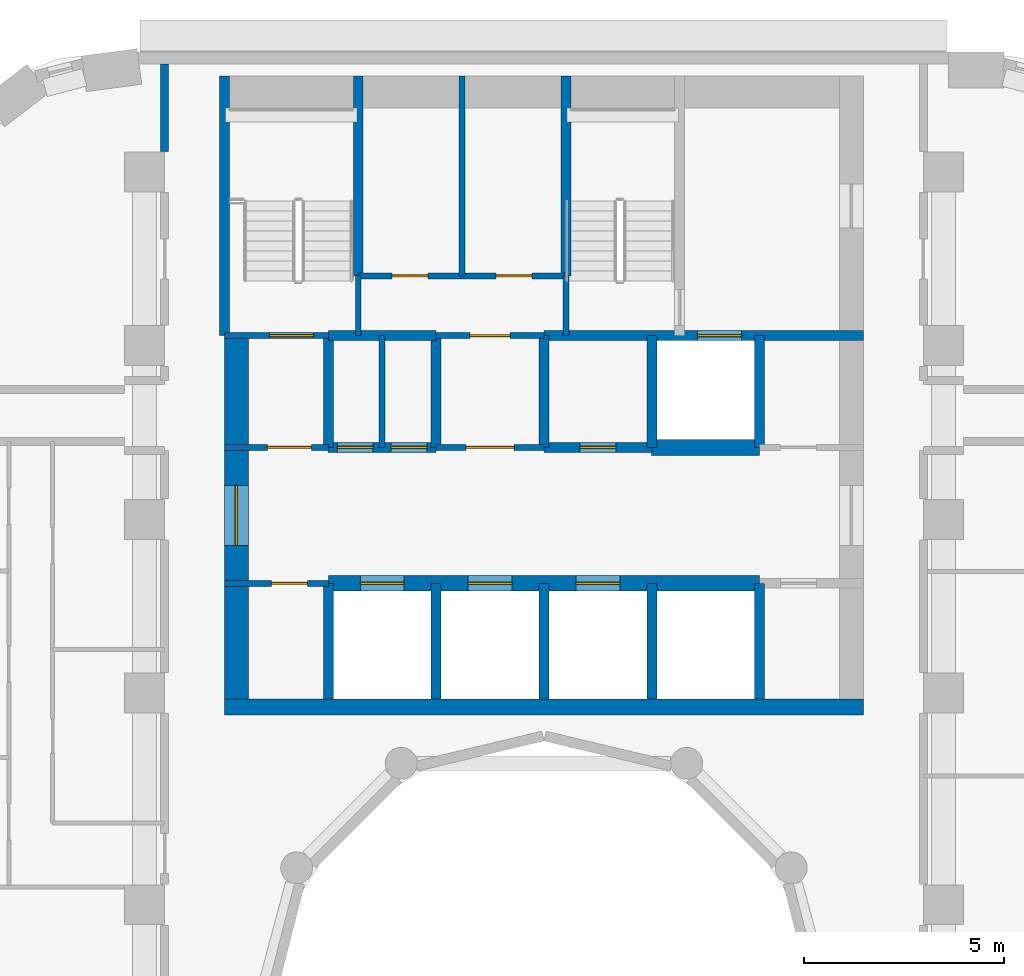
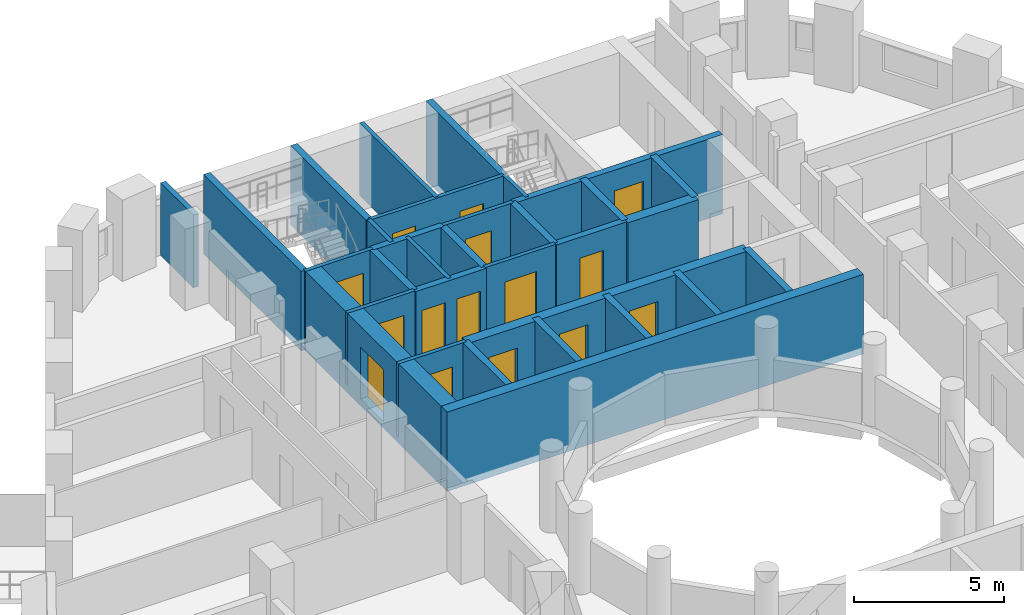
# One storey, part 7 of 14: 32 walls, 15 doors, 15 openings.
"""IFC4 building model written with IfcOpenShell, lengths in metres."""

from ifc_helpers import new_model, si_unit, direction, frame, frame_2d, origin, place, context, subcontext, project, spatial, rectangle, extrude, material, layer, layer_set, type_object, element, fill, save


model = new_model("IFC4")

# Units and contexts
model_context = context("Model", 3, precision=1e-05, world=origin(), true_north=direction((0.0, 1.0)))
body_context = subcontext(model_context, "Body", "Model", "MODEL_VIEW")
ifc_project = project(units=[si_unit("LENGTHUNIT", "METRE"), si_unit("AREAUNIT", "SQUARE_METRE"), si_unit("VOLUMEUNIT", "CUBIC_METRE"), si_unit("PLANEANGLEUNIT", "RADIAN"), si_unit("MASSUNIT", "GRAM", prefix="KILO")], contexts=[model_context])

# Site, building, storey
site_placement = place(None, origin())
site = spatial("IfcSite", under=ifc_project, at=site_placement, CompositionType="ELEMENT")
building_placement = place(site_placement, origin())
building = spatial("IfcBuilding", under=site, at=building_placement, Name="Nakaniwa Court", CompositionType="ELEMENT")
storey_placement = place(building_placement, frame((0.0, 0.0, 117.300048828125)))
storey = spatial("IfcBuildingStorey", under=building, at=storey_placement, Name="L31", CompositionType="ELEMENT", Elevation=117.300048828125)

# Wall
ifc_material_1 = material(Name="Acoustic double stud partition")
ifc_layer_1 = layer(ifc_material_1, 0.199951171875)
ifc_layer_set_1 = layer_set([ifc_layer_1], Name="Acoustic double stud partition")
wall_type_1 = type_object("IfcWallType", Name="Acoustic double stud partition 200", PredefinedType="PARTITIONING", material=ifc_layer_set_1)
wall_1_placement = place(storey_placement, frame((70.5, 101.51708984375, 0.0), z_axis=(0.0, 0.0, 1.0), x_axis=(0.0, 1.0, 0.0)))
element("IfcWall", 1, at=wall_1_placement, inside=storey, type_object=wall_type_1, Name="Partition PW-110", PredefinedType="PARTITIONING", context=body_context, shape_type="SweptSolid", body=[
    extrude(rectangle(XDim=2.182861328125, YDim=0.199951171875, at=frame_2d((1.09130859375, 0.0))), origin(), (0.0, 0.0, 1.0), 2.949951171875),
])

# Wall, opening, door
ifc_material_2 = material(Name="Blockwork partition", Category="masonry")
ifc_layer_2 = layer(ifc_material_2, 0.14990234375)
ifc_layer_set_2 = layer_set([ifc_layer_2], Name="Blockwork partition")
wall_type_2 = type_object("IfcWallType", Name="Blockwork partition 150", PredefinedType="PARTITIONING", material=ifc_layer_set_2)
wall_2_placement = place(storey_placement, frame((74.60009765625, 90.699951171875, 0.0), z_axis=(0.0, 0.0, 1.0), x_axis=(-1.0, 0.0, 0.0)))
wall_2 = element("IfcWall", 2, at=wall_2_placement, inside=storey, type_object=wall_type_2, Name="Partition PW-003", PredefinedType="PARTITIONING", context=body_context, shape_type="SweptSolid", body=[
    extrude(rectangle(XDim=2.60009765625, YDim=0.14990234375, at=frame_2d((1.300048828125, 0.0))), origin(), (0.0, 0.0, 1.0), 2.949951171875),
])
opening_1_placement = place(wall_2_placement, frame((0.52490234375, 0.0, 0.0)))
opening_1 = element("IfcOpeningElement", 3, at=opening_1_placement, cuts=wall_2, Name="Opening D-05-01", PredefinedType="OPENING", context=body_context, shape_type="SweptSolid", body=[
    extrude(rectangle(XDim=0.89990234375, YDim=2.10009765625, at=frame_2d((0.449951171875, 1.050048828125))), frame((0.0, 0.0849609375, 0.0), z_axis=(0.0, -1.0, 0.0), x_axis=(1.0, 0.0, 0.0)), (0.0, 0.0, 1.0), 0.169921875),
])
ifc_material_3 = material(Name="Fire rated steel door set", Category="steel")
door_type_1 = type_object("IfcDoorType", Name="Service room door 900", OperationType="NOTDEFINED", PredefinedType="DOOR", material=ifc_material_3)
door_1_placement = place(opening_1_placement, origin())
door_1 = element("IfcDoor", 4, at=door_1_placement, inside=storey, type_object=door_type_1, Name="Door D-05-01 L31-001", OperationType="SINGLE_SWING_RIGHT", OverallHeight=2.10009765625, OverallWidth=0.89990234375, PredefinedType="DOOR", context=body_context, shape_type="SweptSolid", body=[
    extrude(rectangle(XDim=0.89990234375, YDim=2.10009765625, at=frame_2d((0.449951171875, 1.050048828125))), frame((0.0, 0.02490234375, 0.0), z_axis=(0.0, -1.0, 0.0), x_axis=(1.0, 0.0, 0.0)), (0.0, 0.0, 1.0), 0.050048828125),
])
fill(opening_1, door_1)

wall_3_placement = place(storey_placement, frame((72.0, 94.10009765625, 0.0), z_axis=(0.0, 0.0, 1.0), x_axis=(1.0, 0.0, 0.0)))
wall_3 = element("IfcWall", 5, at=wall_3_placement, inside=storey, type_object=wall_type_2, Name="Partition PW-016", PredefinedType="PARTITIONING", context=body_context, shape_type="SweptSolid", body=[
    extrude(rectangle(XDim=2.60302734375, YDim=0.14990234375, at=frame_2d((1.301513671875, 0.0))), origin(), (0.0, 0.0, 1.0), 2.949951171875),
])
opening_2_placement = place(wall_3_placement, frame((1.074951171875, 0.0, 0.0)))
opening_2 = element("IfcOpeningElement", 6, at=opening_2_placement, cuts=wall_3, Name="Opening D-08-01", PredefinedType="OPENING", context=body_context, shape_type="SweptSolid", body=[
    extrude(rectangle(XDim=1.10009765625, YDim=2.10009765625, at=frame_2d((0.550048828125, 1.050048828125))), frame((0.0, 0.0849609375, 0.0), z_axis=(0.0, -1.0, 0.0), x_axis=(1.0, 0.0, 0.0)), (0.0, 0.0, 1.0), 0.169921875),
])
door_type_2 = type_object("IfcDoorType", Name="Stair lobby door 1100", OperationType="NOTDEFINED", PredefinedType="DOOR", material=ifc_material_3)
door_2_placement = place(opening_2_placement, origin())
door_2 = element("IfcDoor", 7, at=door_2_placement, inside=storey, type_object=door_type_2, Name="Door D-08-01 L31-003", OperationType="SINGLE_SWING_RIGHT", OverallHeight=2.10009765625, OverallWidth=1.10009765625, PredefinedType="DOOR", context=body_context, shape_type="SweptSolid", body=[
    extrude(rectangle(XDim=1.10009765625, YDim=2.10009765625, at=frame_2d((0.550048828125, 1.050048828125))), frame((0.0, 0.02490234375, 0.0), z_axis=(0.0, -1.0, 0.0), x_axis=(1.0, 0.0, 0.0)), (0.0, 0.0, 1.0), 0.050048828125),
])
fill(opening_2, door_2)

wall_4_placement = place(storey_placement, frame((77.297119140625, 94.10009765625, 0.0), z_axis=(0.0, 0.0, 1.0), x_axis=(1.0, 0.0, 0.0)))
wall_4 = element("IfcWall", 8, at=wall_4_placement, inside=storey, type_object=wall_type_2, Name="Partition PW-017", PredefinedType="PARTITIONING", context=body_context, shape_type="SweptSolid", body=[
    extrude(rectangle(XDim=2.705810546875, YDim=0.14990234375, at=frame_2d((1.35302734375, 0.0))), origin(), (0.0, 0.0, 1.0), 2.949951171875),
])
opening_3_placement = place(wall_4_placement, frame((0.7529296875, 0.0, 0.0)))
opening_3 = element("IfcOpeningElement", 9, at=opening_3_placement, cuts=wall_4, Name="Opening D-06-01", PredefinedType="OPENING", context=body_context, shape_type="SweptSolid", body=[
    extrude(rectangle(XDim=1.199951171875, YDim=2.10009765625, at=frame_2d((0.60009765625, 1.050048828125))), frame((0.0, 0.0849609375, 0.0), z_axis=(0.0, -1.0, 0.0), x_axis=(1.0, 0.0, 0.0)), (0.0, 0.0, 1.0), 0.169921875),
])
ifc_material_4 = material(Name="Fire rated steel double door set", Category="steel")
door_type_3 = type_object("IfcDoorType", Name="Service passage double door 1200", OperationType="NOTDEFINED", PredefinedType="DOOR", material=ifc_material_4)
door_3_placement = place(opening_3_placement, origin())
door_3 = element("IfcDoor", 10, at=door_3_placement, inside=storey, type_object=door_type_3, Name="Door D-06-01 L31-006", OperationType="DOUBLE_DOOR_SINGLE_SWING", OverallHeight=2.10009765625, OverallWidth=1.199951171875, PredefinedType="DOOR", context=body_context, shape_type="SweptSolid", body=[
    extrude(rectangle(XDim=1.199951171875, YDim=2.10009765625, at=frame_2d((0.60009765625, 1.050048828125))), frame((0.0, 0.02490234375, 0.0), z_axis=(0.0, -1.0, 0.0), x_axis=(1.0, 0.0, 0.0)), (0.0, 0.0, 1.0), 0.050048828125),
])
fill(opening_3, door_3)

# Wall
wall_5_placement = place(storey_placement, frame((75.949951171875, 94.10009765625, 0.0), z_axis=(0.0, 0.0, 1.0), x_axis=(0.0, 1.0, 0.0)))
element("IfcWall", 11, at=wall_5_placement, inside=storey, type_object=wall_type_2, Name="Partition PW-023", PredefinedType="PARTITIONING", context=body_context, shape_type="SweptSolid", body=[
    extrude(rectangle(XDim=2.7998046875, YDim=0.14990234375, at=frame_2d((1.39990234375, 0.0))), origin(), (0.0, 0.0, 1.0), 2.949951171875),
])

# Wall, opening, door
wall_6_placement = place(storey_placement, frame((77.300048828125, 96.89990234375, 0.0), z_axis=(0.0, 0.0, 1.0), x_axis=(1.0, 0.0, 0.0)))
wall_6 = element("IfcWall", 12, at=wall_6_placement, inside=storey, type_object=wall_type_2, Name="Partition PW-026", PredefinedType="PARTITIONING", context=body_context, shape_type="SweptSolid", body=[
    extrude(rectangle(XDim=2.699951171875, YDim=0.14990234375, at=frame_2d((1.35009765625, 0.0))), origin(), (0.0, 0.0, 1.0), 2.949951171875),
])
opening_4_placement = place(wall_6_placement, frame((0.85009765625, 0.0, 0.0)))
opening_4 = element("IfcOpeningElement", 13, at=opening_4_placement, cuts=wall_6, Name="Opening D-23-01", PredefinedType="OPENING", context=body_context, shape_type="SweptSolid", body=[
    extrude(rectangle(XDim=1.0, YDim=2.10009765625, at=frame_2d((0.5, 1.050048828125))), frame((0.0, 0.0849609375, 0.0), z_axis=(0.0, -1.0, 0.0), x_axis=(1.0, 0.0, 0.0)), (0.0, 0.0, 1.0), 0.169921875),
])
door_type_4 = type_object("IfcDoorType", Name="Service room door 1000", OperationType="NOTDEFINED", PredefinedType="DOOR", material=ifc_material_3)
door_4_placement = place(opening_4_placement, origin())
door_4 = element("IfcDoor", 14, at=door_4_placement, inside=storey, type_object=door_type_4, Name="Door D-23-01 L31-009", OperationType="SINGLE_SWING_RIGHT", OverallHeight=2.10009765625, OverallWidth=1.0, PredefinedType="DOOR", context=body_context, shape_type="SweptSolid", body=[
    extrude(rectangle(XDim=1.0, YDim=2.10009765625, at=frame_2d((0.5, 1.050048828125))), frame((0.0, 0.02490234375, 0.0), z_axis=(0.0, -1.0, 0.0), x_axis=(1.0, 0.0, 0.0)), (0.0, 0.0, 1.0), 0.050048828125),
])
fill(opening_4, door_4)

# Wall, openings, doors
wall_7_placement = place(storey_placement, frame((75.35009765625, 98.39990234375, 0.0), z_axis=(0.0, 0.0, 1.0), x_axis=(1.0, 0.0, 0.0)))
wall_7 = element("IfcWall", 15, at=wall_7_placement, inside=storey, type_object=wall_type_2, Name="Partition PW-033", PredefinedType="PARTITIONING", context=body_context, shape_type="SweptSolid", body=[
    extrude(rectangle(XDim=5.199951171875, YDim=0.14990234375, at=frame_2d((2.60009765625, 0.0))), origin(), (0.0, 0.0, 1.0), 2.949951171875),
])
opening_5_placement = place(wall_7_placement, frame((0.85009765625, 0.0, 0.0)))
opening_5 = element("IfcOpeningElement", 16, at=opening_5_placement, cuts=wall_7, Name="Opening D-05-07", PredefinedType="OPENING", context=body_context, shape_type="SweptSolid", body=[
    extrude(rectangle(XDim=0.89990234375, YDim=2.10009765625, at=frame_2d((0.449951171875, 1.050048828125))), frame((0.0, 0.0849609375, 0.0), z_axis=(0.0, -1.0, 0.0), x_axis=(1.0, 0.0, 0.0)), (0.0, 0.0, 1.0), 0.169921875),
])
opening_6_placement = place(wall_7_placement, frame((3.449951171875, 0.0, 0.0)))
opening_6 = element("IfcOpeningElement", 17, at=opening_6_placement, cuts=wall_7, Name="Opening D-05-08", PredefinedType="OPENING", context=body_context, shape_type="SweptSolid", body=[
    extrude(rectangle(XDim=0.89990234375, YDim=2.10009765625, at=frame_2d((0.449951171875, 1.050048828125))), frame((0.0, 0.0849609375, 0.0), z_axis=(0.0, -1.0, 0.0), x_axis=(1.0, 0.0, 0.0)), (0.0, 0.0, 1.0), 0.169921875),
])
door_5_placement = place(opening_5_placement, origin())
door_5 = element("IfcDoor", 18, at=door_5_placement, inside=storey, type_object=door_type_1, Name="Door D-05-07 L31-010", OperationType="SINGLE_SWING_LEFT", OverallHeight=2.10009765625, OverallWidth=0.89990234375, PredefinedType="DOOR", context=body_context, shape_type="SweptSolid", body=[
    extrude(rectangle(XDim=0.89990234375, YDim=2.10009765625, at=frame_2d((0.449951171875, 1.050048828125))), frame((0.0, 0.02490234375, 0.0), z_axis=(0.0, -1.0, 0.0), x_axis=(1.0, 0.0, 0.0)), (0.0, 0.0, 1.0), 0.050048828125),
])
fill(opening_5, door_5)
door_6_placement = place(opening_6_placement, origin())
door_6 = element("IfcDoor", 19, at=door_6_placement, inside=storey, type_object=door_type_1, Name="Door D-05-08 L31-011", OperationType="SINGLE_SWING_RIGHT", OverallHeight=2.10009765625, OverallWidth=0.89990234375, PredefinedType="DOOR", context=body_context, shape_type="SweptSolid", body=[
    extrude(rectangle(XDim=0.89990234375, YDim=2.10009765625, at=frame_2d((0.449951171875, 1.050048828125))), frame((0.0, 0.02490234375, 0.0), z_axis=(0.0, -1.0, 0.0), x_axis=(1.0, 0.0, 0.0)), (0.0, 0.0, 1.0), 0.050048828125),
])
fill(opening_6, door_6)

# Wall
wall_8_placement = place(storey_placement, frame((77.949951171875, 98.39990234375, 0.0), z_axis=(0.0, 0.0, 1.0), x_axis=(0.0, 1.0, 0.0)))
element("IfcWall", 20, at=wall_8_placement, inside=storey, type_object=wall_type_2, Name="Partition PW-034", PredefinedType="PARTITIONING", context=body_context, shape_type="SweptSolid", body=[
    extrude(rectangle(XDim=5.0, YDim=0.14990234375, at=frame_2d((2.5, 0.0))), origin(), (0.0, 0.0, 1.0), 2.949951171875),
])

# Wall, opening, door
ifc_material_5 = material(Name="Concrete C80/100", Category="concrete")
ifc_layer_3 = layer(ifc_material_5, 0.60009765625)
ifc_layer_set_3 = layer_set([ifc_layer_3], Name="Concrete C80/100")
wall_type_3 = type_object("IfcWallType", Name="Concrete core side wall 600 C80", PredefinedType="SHEAR", material=ifc_layer_set_3)
wall_9_placement = place(storey_placement, frame((72.300048828125, 87.800048828125, -0.275146484375), z_axis=(0.0, 0.0, 1.0), x_axis=(0.0, 1.0, 0.0)))
wall_9 = element("IfcWall", 21, at=wall_9_placement, inside=storey, type_object=wall_type_3, Name="Core wall SW-04", PredefinedType="SHEAR", context=body_context, shape_type="SweptSolid", body=[
    extrude(rectangle(XDim=9.099853515625, YDim=0.60009765625, at=frame_2d((4.5498046875, 0.0))), origin(), (0.0, 0.0, 1.0), 3.22509765625),
])
opening_7_placement = place(wall_9_placement, frame((3.85009765625, 0.0, 0.27490234375)))
opening_7 = element("IfcOpeningElement", 22, at=opening_7_placement, cuts=wall_9, Name="Opening D-07-02", PredefinedType="OPENING", context=body_context, shape_type="SweptSolid", body=[
    extrude(rectangle(XDim=1.5, YDim=2.10009765625, at=frame_2d((0.75, 1.050048828125))), frame((0.0, 0.31005859375, 0.0), z_axis=(0.0, -1.0, 0.0), x_axis=(1.0, 0.0, 0.0)), (0.0, 0.0, 1.0), 0.6201171875),
])
ifc_material_6 = material(Name="Glazed fire rated steel double door set", Category="steel")
door_type_5 = type_object("IfcDoorType", Name="Lobby double door 1500", OperationType="NOTDEFINED", PredefinedType="DOOR", material=ifc_material_6)
door_7_placement = place(opening_7_placement, origin())
door_7 = element("IfcDoor", 23, at=door_7_placement, inside=storey, type_object=door_type_5, Name="Door D-07-02 L31-048", OperationType="DOUBLE_DOOR_SINGLE_SWING", OverallHeight=2.10009765625, OverallWidth=1.5, PredefinedType="DOOR", context=body_context, shape_type="SweptSolid", body=[
    extrude(rectangle(XDim=1.5, YDim=2.10009765625, at=frame_2d((0.75, 1.050048828125))), frame((0.0, 0.02490234375, 0.0), z_axis=(0.0, -1.0, 0.0), x_axis=(1.0, 0.0, 0.0)), (0.0, 0.0, 1.0), 0.050048828125),
])
fill(opening_7, door_7)

# Wall, openings, doors
ifc_layer_4 = layer(ifc_material_5, 0.39990234375)
ifc_layer_set_4 = layer_set([ifc_layer_4], Name="Concrete C80/100")
wall_type_4 = type_object("IfcWallType", Name="Concrete core spine wall 400 C80", PredefinedType="SHEAR", material=ifc_layer_set_4)
wall_10_placement = place(storey_placement, frame((74.60009765625, 90.699951171875, -0.275146484375), z_axis=(0.0, 0.0, 1.0), x_axis=(1.0, 0.0, 0.0)))
wall_10 = element("IfcWall", 24, at=wall_10_placement, inside=storey, type_object=wall_type_4, Name="Core wall SW-07", PredefinedType="SHEAR", context=body_context, shape_type="SweptSolid", body=[
    extrude(rectangle(XDim=10.7998046875, YDim=0.39990234375, at=frame_2d((5.39990234375, 0.0))), origin(), (0.0, 0.0, 1.0), 3.22509765625),
])
opening_8_placement = place(wall_10_placement, frame((0.800048828125, 0.0, 0.27490234375)))
opening_8 = element("IfcOpeningElement", 25, at=opening_8_placement, cuts=wall_10, Name="Opening LD01", PredefinedType="OPENING", context=body_context, shape_type="SweptSolid", body=[
    extrude(rectangle(XDim=1.10009765625, YDim=2.10009765625, at=frame_2d((0.550048828125, 1.050048828125))), frame((0.0, 0.2099609375, 0.0), z_axis=(0.0, -1.0, 0.0), x_axis=(1.0, 0.0, 0.0)), (0.0, 0.0, 1.0), 0.419921875),
])
opening_9_placement = place(wall_10_placement, frame((3.5, 0.0, 0.27490234375)))
opening_9 = element("IfcOpeningElement", 26, at=opening_9_placement, cuts=wall_10, Name="Opening LD02", PredefinedType="OPENING", context=body_context, shape_type="SweptSolid", body=[
    extrude(rectangle(XDim=1.10009765625, YDim=2.10009765625, at=frame_2d((0.550048828125, 1.050048828125))), frame((0.0, 0.2099609375, 0.0), z_axis=(0.0, -1.0, 0.0), x_axis=(1.0, 0.0, 0.0)), (0.0, 0.0, 1.0), 0.419921875),
])
opening_10_placement = place(wall_10_placement, frame((6.199951171875, 0.0, 0.27490234375)))
opening_10 = element("IfcOpeningElement", 27, at=opening_10_placement, cuts=wall_10, Name="Opening LD03", PredefinedType="OPENING", context=body_context, shape_type="SweptSolid", body=[
    extrude(rectangle(XDim=1.10009765625, YDim=2.10009765625, at=frame_2d((0.550048828125, 1.050048828125))), frame((0.0, 0.2099609375, 0.0), z_axis=(0.0, -1.0, 0.0), x_axis=(1.0, 0.0, 0.0)), (0.0, 0.0, 1.0), 0.419921875),
])
ifc_material_7 = material(Name="Stainless steel sliding lift landing door", Category="steel")
door_type_6 = type_object("IfcDoorType", Name="Lift landing door 1100", OperationType="NOTDEFINED", PredefinedType="DOOR", material=ifc_material_7)
door_8_placement = place(opening_8_placement, origin())
door_8 = element("IfcDoor", 28, at=door_8_placement, inside=storey, type_object=door_type_6, Name="Lift landing door LD01 L31-001", OperationType="SLIDING_TO_LEFT", OverallHeight=2.10009765625, OverallWidth=1.10009765625, PredefinedType="DOOR", context=body_context, shape_type="SweptSolid", body=[
    extrude(rectangle(XDim=1.10009765625, YDim=2.10009765625, at=frame_2d((0.550048828125, 1.050048828125))), frame((0.0, 0.02490234375, 0.0), z_axis=(0.0, -1.0, 0.0), x_axis=(1.0, 0.0, 0.0)), (0.0, 0.0, 1.0), 0.050048828125),
])
fill(opening_8, door_8)
door_9_placement = place(opening_9_placement, origin())
door_9 = element("IfcDoor", 29, at=door_9_placement, inside=storey, type_object=door_type_6, Name="Lift landing door LD02 L31-002", OperationType="SLIDING_TO_LEFT", OverallHeight=2.10009765625, OverallWidth=1.10009765625, PredefinedType="DOOR", context=body_context, shape_type="SweptSolid", body=[
    extrude(rectangle(XDim=1.10009765625, YDim=2.10009765625, at=frame_2d((0.550048828125, 1.050048828125))), frame((0.0, 0.02490234375, 0.0), z_axis=(0.0, -1.0, 0.0), x_axis=(1.0, 0.0, 0.0)), (0.0, 0.0, 1.0), 0.050048828125),
])
fill(opening_9, door_9)
door_10_placement = place(opening_10_placement, origin())
door_10 = element("IfcDoor", 30, at=door_10_placement, inside=storey, type_object=door_type_6, Name="Lift landing door LD03 L31-003", OperationType="SLIDING_TO_LEFT", OverallHeight=2.10009765625, OverallWidth=1.10009765625, PredefinedType="DOOR", context=body_context, shape_type="SweptSolid", body=[
    extrude(rectangle(XDim=1.10009765625, YDim=2.10009765625, at=frame_2d((0.550048828125, 1.050048828125))), frame((0.0, 0.02490234375, 0.0), z_axis=(0.0, -1.0, 0.0), x_axis=(1.0, 0.0, 0.0)), (0.0, 0.0, 1.0), 0.050048828125),
])
fill(opening_10, door_10)

# Wall
wall_11_placement = place(storey_placement, frame((82.697021484375, 94.10009765625, -0.275146484375), z_axis=(0.0, 0.0, 1.0), x_axis=(1.0, 0.0, 0.0)))
element("IfcWall", 31, at=wall_11_placement, inside=storey, type_object=wall_type_4, Name="Core wall SW-21", PredefinedType="SHEAR", context=body_context, shape_type="SweptSolid", body=[
    extrude(rectangle(XDim=2.7060546875, YDim=0.39990234375, at=frame_2d((1.35302734375, 0.0))), origin(), (0.0, 0.0, 1.0), 3.22509765625),
])

# Wall, opening, door
ifc_layer_5 = layer(ifc_material_5, 0.14990234375)
ifc_layer_set_5 = layer_set([ifc_layer_5], Name="Concrete C80/100")
wall_type_5 = type_object("IfcWallType", Name="Concrete core wall 150 C80", PredefinedType="SHEAR", material=ifc_layer_set_5)
wall_12_placement = place(storey_placement, frame((74.60009765625, 96.89990234375, -0.275146484375), z_axis=(0.0, 0.0, 1.0), x_axis=(-1.0, 0.0, 0.0)))
wall_12 = element("IfcWall", 32, at=wall_12_placement, inside=storey, type_object=wall_type_5, Name="Core wall SW-22", PredefinedType="SHEAR", context=body_context, shape_type="SweptSolid", body=[
    extrude(rectangle(XDim=2.60009765625, YDim=0.14990234375, at=frame_2d((1.300048828125, 0.0))), origin(), (0.0, 0.0, 1.0), 3.22509765625),
])
opening_11_placement = place(wall_12_placement, frame((0.3701171875, 0.0, 0.27490234375)))
opening_11 = element("IfcOpeningElement", 33, at=opening_11_placement, cuts=wall_12, Name="Opening D-09-01", PredefinedType="OPENING", context=body_context, shape_type="SweptSolid", body=[
    extrude(rectangle(XDim=1.10009765625, YDim=2.10009765625, at=frame_2d((0.550048828125, 1.050048828125))), frame((0.0, 0.0849609375, 0.0), z_axis=(0.0, -1.0, 0.0), x_axis=(1.0, 0.0, 0.0)), (0.0, 0.0, 1.0), 0.169921875),
])
door_type_7 = type_object("IfcDoorType", Name="Stair door 1100", OperationType="NOTDEFINED", PredefinedType="DOOR", material=ifc_material_3)
door_11_placement = place(opening_11_placement, origin())
door_11 = element("IfcDoor", 34, at=door_11_placement, inside=storey, type_object=door_type_7, Name="Door D-09-01 L31-012", OperationType="SINGLE_SWING_RIGHT", OverallHeight=2.10009765625, OverallWidth=1.10009765625, PredefinedType="DOOR", context=body_context, shape_type="SweptSolid", body=[
    extrude(rectangle(XDim=1.10009765625, YDim=2.10009765625, at=frame_2d((0.550048828125, 1.050048828125))), frame((0.0, 0.02490234375, 0.0), z_axis=(0.0, -1.0, 0.0), x_axis=(1.0, 0.0, 0.0)), (0.0, 0.0, 1.0), 0.050048828125),
])
fill(opening_11, door_11)

# Walls
for number, where, z_axis, x_axis, name in (
    (35, (75.35009765625, 96.89990234375, -0.275146484375), (0.0, 0.0, 1.0), (0.0, 1.0, 0.0), "Core wall SW-27"),
    (36, (80.550048828125, 96.89990234375, -0.275146484375), (0.0, 0.0, 1.0), (0.0, 1.0, 0.0), "Core wall SW-31"),
):
    element("IfcWall", number, at=place(storey_placement, frame(where, z_axis=z_axis, x_axis=x_axis)), inside=storey, type_object=wall_type_5, Name=name, PredefinedType="SHEAR", context=body_context, shape_type="SweptSolid", body=[
        extrude(rectangle(XDim=1.503173828125, YDim=0.14990234375, at=frame_2d((0.75146484375, 0.0))), origin(), (0.0, 0.0, 1.0), 3.22509765625),
    ])
ifc_layer_6 = layer(ifc_material_5, 0.25)
ifc_layer_set_6 = layer_set([ifc_layer_6], Name="Concrete C80/100")
wall_type_6 = type_object("IfcWallType", Name="Concrete core wall 250 C80", PredefinedType="SHEAR", material=ifc_layer_set_6)
wall_13_placement = place(storey_placement, frame((72.0, 96.89990234375, -0.275146484375), z_axis=(0.0, 0.0, 1.0), x_axis=(0.0, 1.0, 0.0)))
element("IfcWall", 37, at=wall_13_placement, inside=storey, type_object=wall_type_6, Name="Core wall SW-29", PredefinedType="SHEAR", context=body_context, shape_type="SweptSolid", body=[
    extrude(rectangle(XDim=6.5, YDim=0.25, at=frame_2d((3.25, 0.0))), origin(), (0.0, 0.0, 1.0), 3.22509765625),
])
ifc_layer_7 = layer(ifc_material_5, 0.39990234375)
ifc_layer_set_7 = layer_set([ifc_layer_7], Name="Concrete C80/100")
wall_type_7 = type_object("IfcWallType", Name="Concrete core well wall 400 C80", PredefinedType="SHEAR", material=ifc_layer_set_7)
wall_14_placement = place(storey_placement, frame((72.00390625, 87.60009765625, -0.275146484375), z_axis=(0.0, 0.0, 1.0), x_axis=(1.0, 0.0, 0.0)))
element("IfcWall", 38, at=wall_14_placement, inside=storey, type_object=wall_type_7, Name="Core wall SW-127", PredefinedType="SHEAR", context=body_context, shape_type="SweptSolid", body=[
    extrude(rectangle(XDim=15.9921875, YDim=0.39990234375, at=frame_2d((7.99609375, 0.0))), origin(), (0.0, 0.0, 1.0), 3.22509765625),
])
ifc_layer_8 = layer(ifc_material_5, 0.25)
ifc_layer_set_8 = layer_set([ifc_layer_8], Name="Concrete C80/100")
wall_type_8 = type_object("IfcWallType", Name="Concrete shaft wall 250 C80", PredefinedType="SHEAR", material=ifc_layer_set_8)
wall_15_placement = place(storey_placement, frame((74.60009765625, 87.800048828125, -0.275146484375), z_axis=(0.0, 0.0, 1.0), x_axis=(0.0, 1.0, 0.0)))
element("IfcWall", 39, at=wall_15_placement, inside=storey, type_object=wall_type_8, Name="Core wall SW-01", PredefinedType="SHEAR", context=body_context, shape_type="SweptSolid", body=[
    extrude(rectangle(XDim=2.89990234375, YDim=0.25, at=frame_2d((1.449951171875, 0.0))), origin(), (0.0, 0.0, 1.0), 3.22509765625),
])
wall_16_placement = place(storey_placement, frame((74.60009765625, 94.10009765625, -0.275146484375), z_axis=(0.0, 0.0, 1.0), x_axis=(0.0, 1.0, 0.0)))
element("IfcWall", 40, at=wall_16_placement, inside=storey, type_object=wall_type_8, Name="Core wall SW-02", PredefinedType="SHEAR", context=body_context, shape_type="SweptSolid", body=[
    extrude(rectangle(XDim=2.7998046875, YDim=0.25, at=frame_2d((1.39990234375, 0.0))), origin(), (0.0, 0.0, 1.0), 3.22509765625),
])
wall_17_placement = place(storey_placement, frame((77.300048828125, 87.800048828125, -0.275146484375), z_axis=(0.0, 0.0, 1.0), x_axis=(0.0, 1.0, 0.0)))
element("IfcWall", 41, at=wall_17_placement, inside=storey, type_object=wall_type_8, Name="Core wall SW-05", PredefinedType="SHEAR", context=body_context, shape_type="SweptSolid", body=[
    extrude(rectangle(XDim=2.89990234375, YDim=0.25, at=frame_2d((1.449951171875, 0.0))), origin(), (0.0, 0.0, 1.0), 3.22509765625),
])
wall_18_placement = place(storey_placement, frame((77.300048828125, 94.10009765625, -0.275146484375), z_axis=(0.0, 0.0, 1.0), x_axis=(0.0, 1.0, 0.0)))
element("IfcWall", 42, at=wall_18_placement, inside=storey, type_object=wall_type_8, Name="Core wall SW-06", PredefinedType="SHEAR", context=body_context, shape_type="SweptSolid", body=[
    extrude(rectangle(XDim=2.7998046875, YDim=0.25, at=frame_2d((1.39990234375, 0.0))), origin(), (0.0, 0.0, 1.0), 3.22509765625),
])
wall_19_placement = place(storey_placement, frame((80.0, 87.800048828125, -0.275146484375), z_axis=(0.0, 0.0, 1.0), x_axis=(0.0, 1.0, 0.0)))
element("IfcWall", 43, at=wall_19_placement, inside=storey, type_object=wall_type_8, Name="Core wall SW-08", PredefinedType="SHEAR", context=body_context, shape_type="SweptSolid", body=[
    extrude(rectangle(XDim=2.89990234375, YDim=0.25, at=frame_2d((1.449951171875, 0.0))), origin(), (0.0, 0.0, 1.0), 3.22509765625),
])
wall_20_placement = place(storey_placement, frame((80.0, 94.10009765625, -0.275146484375), z_axis=(0.0, 0.0, 1.0), x_axis=(0.0, 1.0, 0.0)))
element("IfcWall", 44, at=wall_20_placement, inside=storey, type_object=wall_type_8, Name="Core wall SW-09", PredefinedType="SHEAR", context=body_context, shape_type="SweptSolid", body=[
    extrude(rectangle(XDim=2.7998046875, YDim=0.25, at=frame_2d((1.39990234375, 0.0))), origin(), (0.0, 0.0, 1.0), 3.22509765625),
])
wall_21_placement = place(storey_placement, frame((82.699951171875, 87.800048828125, -0.275146484375), z_axis=(0.0, 0.0, 1.0), x_axis=(0.0, 1.0, 0.0)))
element("IfcWall", 45, at=wall_21_placement, inside=storey, type_object=wall_type_8, Name="Core wall SW-10", PredefinedType="SHEAR", context=body_context, shape_type="SweptSolid", body=[
    extrude(rectangle(XDim=2.89990234375, YDim=0.25, at=frame_2d((1.449951171875, 0.0))), origin(), (0.0, 0.0, 1.0), 3.22509765625),
])
wall_22_placement = place(storey_placement, frame((82.699951171875, 94.10009765625, -0.275146484375), z_axis=(0.0, 0.0, 1.0), x_axis=(0.0, 1.0, 0.0)))
element("IfcWall", 46, at=wall_22_placement, inside=storey, type_object=wall_type_8, Name="Core wall SW-11", PredefinedType="SHEAR", context=body_context, shape_type="SweptSolid", body=[
    extrude(rectangle(XDim=2.7998046875, YDim=0.25, at=frame_2d((1.39990234375, 0.0))), origin(), (0.0, 0.0, 1.0), 3.22509765625),
])
wall_23_placement = place(storey_placement, frame((85.39990234375, 87.800048828125, -0.275146484375), z_axis=(0.0, 0.0, 1.0), x_axis=(0.0, 1.0, 0.0)))
element("IfcWall", 47, at=wall_23_placement, inside=storey, type_object=wall_type_8, Name="Core wall SW-12", PredefinedType="SHEAR", context=body_context, shape_type="SweptSolid", body=[
    extrude(rectangle(XDim=2.89990234375, YDim=0.25, at=frame_2d((1.449951171875, 0.0))), origin(), (0.0, 0.0, 1.0), 3.22509765625),
])
wall_24_placement = place(storey_placement, frame((85.39990234375, 94.10009765625, -0.275146484375), z_axis=(0.0, 0.0, 1.0), x_axis=(0.0, 1.0, 0.0)))
element("IfcWall", 48, at=wall_24_placement, inside=storey, type_object=wall_type_8, Name="Core wall SW-13", PredefinedType="SHEAR", context=body_context, shape_type="SweptSolid", body=[
    extrude(rectangle(XDim=2.7998046875, YDim=0.25, at=frame_2d((1.39990234375, 0.0))), origin(), (0.0, 0.0, 1.0), 3.22509765625),
])

# Wall, openings, doors
wall_25_placement = place(storey_placement, frame((74.596923828125, 94.10009765625, -0.275146484375), z_axis=(0.0, 0.0, 1.0), x_axis=(1.0, 0.0, 0.0)))
wall_25 = element("IfcWall", 49, at=wall_25_placement, inside=storey, type_object=wall_type_8, Name="Core wall SW-19", PredefinedType="SHEAR", context=body_context, shape_type="SweptSolid", body=[
    extrude(rectangle(XDim=2.7060546875, YDim=0.25, at=frame_2d((1.35302734375, 0.0))), origin(), (0.0, 0.0, 1.0), 3.22509765625),
])
opening_12_placement = place(wall_25_placement, frame((0.22802734375, 0.0, 0.27490234375)))
opening_12 = element("IfcOpeningElement", 50, at=opening_12_placement, cuts=wall_25, Name="Opening D-05-03", PredefinedType="OPENING", context=body_context, shape_type="SweptSolid", body=[
    extrude(rectangle(XDim=0.89990234375, YDim=2.10009765625, at=frame_2d((0.449951171875, 1.050048828125))), frame((0.0, 0.135009765625, 0.0), z_axis=(0.0, -1.0, 0.0), x_axis=(1.0, 0.0, 0.0)), (0.0, 0.0, 1.0), 0.27001953125),
])
opening_13_placement = place(wall_25_placement, frame((1.577880859375, 0.0, 0.27490234375)))
opening_13 = element("IfcOpeningElement", 51, at=opening_13_placement, cuts=wall_25, Name="Opening D-05-04", PredefinedType="OPENING", context=body_context, shape_type="SweptSolid", body=[
    extrude(rectangle(XDim=0.89990234375, YDim=2.10009765625, at=frame_2d((0.449951171875, 1.050048828125))), frame((0.0, 0.135009765625, 0.0), z_axis=(0.0, -1.0, 0.0), x_axis=(1.0, 0.0, 0.0)), (0.0, 0.0, 1.0), 0.27001953125),
])
door_12_placement = place(opening_12_placement, origin())
door_12 = element("IfcDoor", 52, at=door_12_placement, inside=storey, type_object=door_type_1, Name="Door D-05-03 L31-004", OperationType="SINGLE_SWING_LEFT", OverallHeight=2.10009765625, OverallWidth=0.89990234375, PredefinedType="DOOR", context=body_context, shape_type="SweptSolid", body=[
    extrude(rectangle(XDim=0.89990234375, YDim=2.10009765625, at=frame_2d((0.449951171875, 1.050048828125))), frame((0.0, 0.02490234375, 0.0), z_axis=(0.0, -1.0, 0.0), x_axis=(1.0, 0.0, 0.0)), (0.0, 0.0, 1.0), 0.050048828125),
])
fill(opening_12, door_12)
door_13_placement = place(opening_13_placement, origin())
door_13 = element("IfcDoor", 53, at=door_13_placement, inside=storey, type_object=door_type_1, Name="Door D-05-04 L31-005", OperationType="SINGLE_SWING_RIGHT", OverallHeight=2.10009765625, OverallWidth=0.89990234375, PredefinedType="DOOR", context=body_context, shape_type="SweptSolid", body=[
    extrude(rectangle(XDim=0.89990234375, YDim=2.10009765625, at=frame_2d((0.449951171875, 1.050048828125))), frame((0.0, 0.02490234375, 0.0), z_axis=(0.0, -1.0, 0.0), x_axis=(1.0, 0.0, 0.0)), (0.0, 0.0, 1.0), 0.050048828125),
])
fill(opening_13, door_13)

# Wall, opening, door
wall_26_placement = place(storey_placement, frame((79.9970703125, 94.10009765625, -0.275146484375), z_axis=(0.0, 0.0, 1.0), x_axis=(1.0, 0.0, 0.0)))
wall_26 = element("IfcWall", 54, at=wall_26_placement, inside=storey, type_object=wall_type_8, Name="Core wall SW-20", PredefinedType="SHEAR", context=body_context, shape_type="SweptSolid", body=[
    extrude(rectangle(XDim=2.705810546875, YDim=0.25, at=frame_2d((1.35302734375, 0.0))), origin(), (0.0, 0.0, 1.0), 3.22509765625),
])
opening_14_placement = place(wall_26_placement, frame((0.903076171875, 0.0, 0.27490234375)))
opening_14 = element("IfcOpeningElement", 55, at=opening_14_placement, cuts=wall_26, Name="Opening D-05-05", PredefinedType="OPENING", context=body_context, shape_type="SweptSolid", body=[
    extrude(rectangle(XDim=0.89990234375, YDim=2.10009765625, at=frame_2d((0.449951171875, 1.050048828125))), frame((0.0, 0.135009765625, 0.0), z_axis=(0.0, -1.0, 0.0), x_axis=(1.0, 0.0, 0.0)), (0.0, 0.0, 1.0), 0.27001953125),
])
door_14_placement = place(opening_14_placement, origin())
door_14 = element("IfcDoor", 56, at=door_14_placement, inside=storey, type_object=door_type_1, Name="Door D-05-05 L31-007", OperationType="SINGLE_SWING_RIGHT", OverallHeight=2.10009765625, OverallWidth=0.89990234375, PredefinedType="DOOR", context=body_context, shape_type="SweptSolid", body=[
    extrude(rectangle(XDim=0.89990234375, YDim=2.10009765625, at=frame_2d((0.449951171875, 1.050048828125))), frame((0.0, 0.02490234375, 0.0), z_axis=(0.0, -1.0, 0.0), x_axis=(1.0, 0.0, 0.0)), (0.0, 0.0, 1.0), 0.050048828125),
])
fill(opening_14, door_14)

# Wall
wall_27_placement = place(storey_placement, frame((74.60009765625, 96.89990234375, -0.275146484375), z_axis=(0.0, 0.0, 1.0), x_axis=(1.0, 0.0, 0.0)))
element("IfcWall", 57, at=wall_27_placement, inside=storey, type_object=wall_type_8, Name="Core wall SW-24", PredefinedType="SHEAR", context=body_context, shape_type="SweptSolid", body=[
    extrude(rectangle(XDim=2.699951171875, YDim=0.25, at=frame_2d((1.35009765625, 0.0))), origin(), (0.0, 0.0, 1.0), 3.22509765625),
])

# Wall, opening, door
wall_28_placement = place(storey_placement, frame((80.0, 96.89990234375, -0.275146484375), z_axis=(0.0, 0.0, 1.0), x_axis=(1.0, 0.0, 0.0)))
wall_28 = element("IfcWall", 58, at=wall_28_placement, inside=storey, type_object=wall_type_8, Name="Core wall SW-25", PredefinedType="SHEAR", context=body_context, shape_type="SweptSolid", body=[
    extrude(rectangle(XDim=8.0, YDim=0.25, at=frame_2d((4.0, 0.0))), origin(), (0.0, 0.0, 1.0), 3.22509765625),
])
opening_15_placement = place(wall_28_placement, frame((3.84912109375, 0.0, 0.27490234375)))
opening_15 = element("IfcOpeningElement", 59, at=opening_15_placement, cuts=wall_28, Name="Opening LD04", PredefinedType="OPENING", context=body_context, shape_type="SweptSolid", body=[
    extrude(rectangle(XDim=1.10009765625, YDim=2.10009765625, at=frame_2d((0.550048828125, 1.050048828125))), frame((0.0, 0.135009765625, 0.0), z_axis=(0.0, -1.0, 0.0), x_axis=(1.0, 0.0, 0.0)), (0.0, 0.0, 1.0), 0.27001953125),
])
door_15_placement = place(opening_15_placement, origin())
door_15 = element("IfcDoor", 60, at=door_15_placement, inside=storey, type_object=door_type_6, Name="Lift landing door LD04 L31-004", OperationType="SLIDING_TO_LEFT", OverallHeight=2.10009765625, OverallWidth=1.10009765625, PredefinedType="DOOR", context=body_context, shape_type="SweptSolid", body=[
    extrude(rectangle(XDim=1.10009765625, YDim=2.10009765625, at=frame_2d((0.550048828125, 1.050048828125))), frame((0.0, 0.02490234375, 0.0), z_axis=(0.0, -1.0, 0.0), x_axis=(1.0, 0.0, 0.0)), (0.0, 0.0, 1.0), 0.050048828125),
])
fill(opening_15, door_15)

# Walls
for number, where, z_axis, x_axis, name in (
    (61, (75.35009765625, 98.39697265625, -0.275146484375), (0.0, 0.0, 1.0), (0.0, 1.0, 0.0), "Core wall SW-28"),
    (62, (80.550048828125, 98.39697265625, -0.275146484375), (0.0, 0.0, 1.0), (0.0, 1.0, 0.0), "Core wall SW-32"),
):
    element("IfcWall", number, at=place(storey_placement, frame(where, z_axis=z_axis, x_axis=x_axis)), inside=storey, type_object=wall_type_8, Name=name, PredefinedType="SHEAR", context=body_context, shape_type="SweptSolid", body=[
        extrude(rectangle(XDim=5.0029296875, YDim=0.25, at=frame_2d((2.50146484375, 0.0))), origin(), (0.0, 0.0, 1.0), 3.22509765625),
    ])

save(model, "model.ifc")
